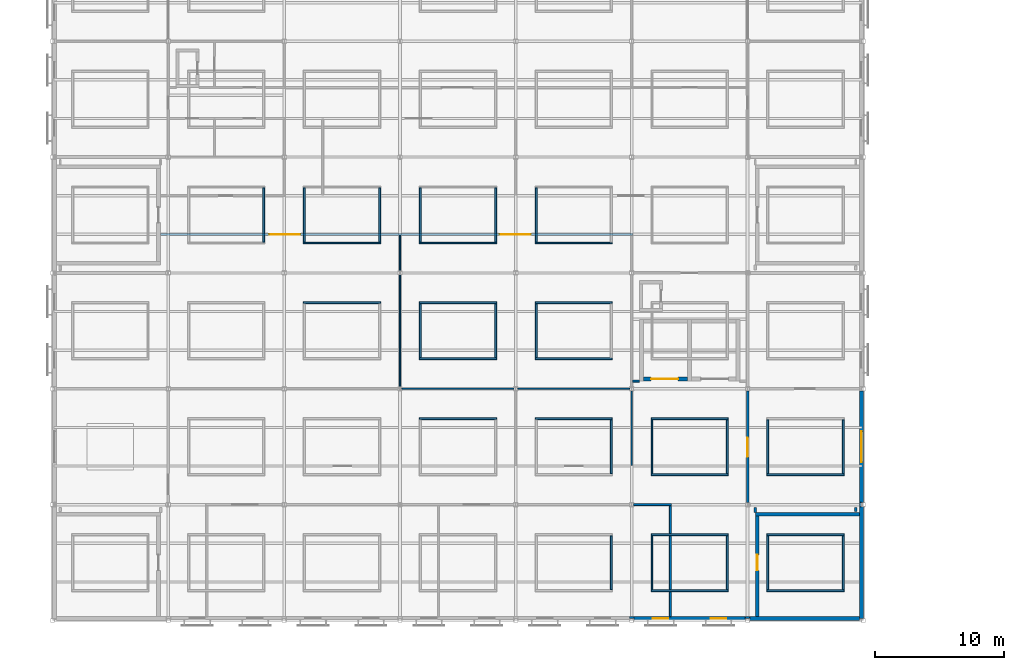
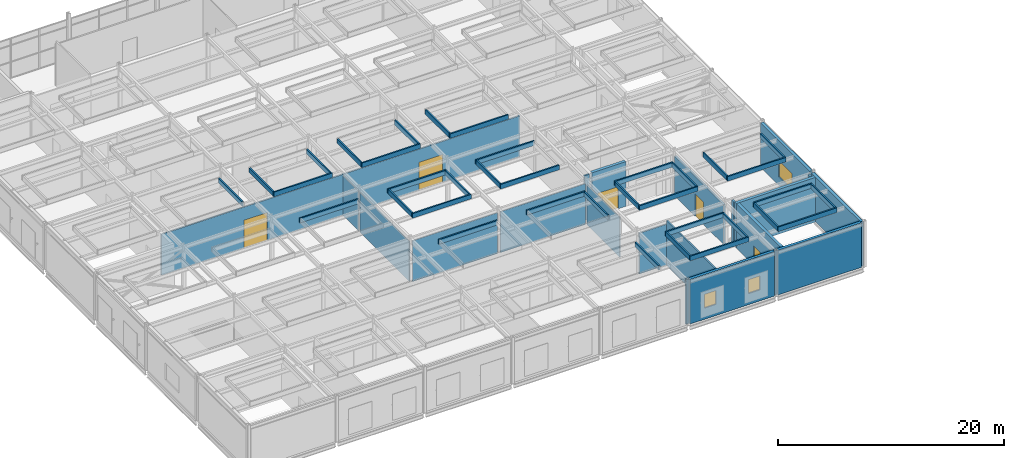
# One storey, part 79 of 115: 58 walls, 5 doors, 3 windows, 8 openings.
"""IFC4 building model written with IfcOpenShell, lengths in metres."""

from ifc_helpers import new_model, si_unit, direction, frame, frame_2d, origin, place, context, subcontext, project, spatial, rectangle, extrude, material, layer, layer_set, type_object, element, fill, save


model = new_model("IFC4")

# Units and contexts
model_context = context("Model", 3, precision=1e-05, world=origin(), true_north=direction((0.0, 1.0)))
body_context = subcontext(model_context, "Body", "Model", "MODEL_VIEW")
ifc_project = project(units=[si_unit("LENGTHUNIT", "METRE"), si_unit("AREAUNIT", "SQUARE_METRE"), si_unit("VOLUMEUNIT", "CUBIC_METRE"), si_unit("PLANEANGLEUNIT", "RADIAN"), si_unit("MASSUNIT", "GRAM", prefix="KILO")], contexts=[model_context])

# Site, building, storey
site_placement = place(None, origin())
site = spatial("IfcSite", under=ifc_project, at=site_placement, CompositionType="ELEMENT")
building_placement = place(site_placement, origin())
building = spatial("IfcBuilding", under=site, at=building_placement, Name="Shorebreak Coast Museum", CompositionType="ELEMENT")
storey_placement = place(building_placement, frame((0.0, 0.0, 11.0)))
storey = spatial("IfcBuildingStorey", under=building, at=storey_placement, Name="L02", CompositionType="ELEMENT", Elevation=11.0)

# Walls
ifc_material_1 = material(Name="Concrete N50 (50 MPa)", Category="concrete")
ifc_layer_1 = layer(ifc_material_1, 0.14990234375)
ifc_layer_set_1 = layer_set([ifc_layer_1], Name="Concrete N50 (50 MPa)")
wall_type_1 = type_object("IfcWallType", Name="Column closure panel 150", PredefinedType="SOLIDWALL", material=ifc_layer_set_1)
wall_1_placement = place(storey_placement, frame((98.839111328125, 0.22509765625, 0.0), z_axis=(0.0, 0.0, 1.0), x_axis=(1.0, 0.0, 0.0)))
element("IfcWall", 1, at=wall_1_placement, inside=storey, type_object=wall_type_1, Name="Column closure panel L02 S 12A", PredefinedType="SOLIDWALL", context=body_context, shape_type="SweptSolid", body=[
    extrude(rectangle(XDim=0.32177734375, YDim=0.14990234375, at=frame_2d((0.160888671875, 0.0))), origin(), (0.0, 0.0, 1.0), 4.824951171875),
])
for number, where, z_axis, x_axis, name in (
    (2, (107.827880859375, 0.22509765625, 0.0), (0.0, 0.0, 1.0), (1.0, 0.0, 0.0), "Column closure panel L02 S 13A"),
    (3, (116.77490234375, 8.85009765625, 0.0), (0.0, 0.0, 1.0), (0.0, 1.0, 0.0), "Column closure panel L02 E 14B"),
):
    element("IfcWall", number, at=place(storey_placement, frame(where, z_axis=z_axis, x_axis=x_axis)), inside=storey, type_object=wall_type_1, Name=name, PredefinedType="SOLIDWALL", context=body_context, shape_type="SweptSolid", body=[
        extrude(rectangle(XDim=0.322021484375, YDim=0.14990234375, at=frame_2d((0.1611328125, 0.0))), origin(), (0.0, 0.0, 1.0), 4.824951171875),
    ])
ifc_material_2 = material(Name="Plasterboard on steel stud", Category="steel")
ifc_layer_2 = layer(ifc_material_2, 0.14990234375)
ifc_layer_set_2 = layer_set([ifc_layer_2], Name="Plasterboard on steel stud")
wall_type_2 = type_object("IfcWallType", Name="Fire partition 150", PredefinedType="PARTITIONING", material=ifc_layer_set_2)
wall_2_placement = place(storey_placement, frame((99.153564453125, 9.0, 0.0), z_axis=(0.0, 0.0, 1.0), x_axis=(1.0, 0.0, 0.0)))
element("IfcWall", 4, at=wall_2_placement, inside=storey, type_object=wall_type_2, Name="Partition L02-005", PredefinedType="PARTITIONING", context=body_context, shape_type="SweptSolid", body=[
    extrude(rectangle(XDim=2.92138671875, YDim=0.14990234375, at=frame_2d((1.460693359375, 0.0))), origin(), (0.0, 0.0, 1.0), 4.418701171875),
])
wall_3_placement = place(storey_placement, frame((99.074951171875, 18.60009765625, 0.0), z_axis=(0.0, 0.0, 1.0), x_axis=(1.0, 0.0, 0.0)))
element("IfcWall", 5, at=wall_3_placement, inside=storey, type_object=wall_type_2, Name="Partition L02-013", PredefinedType="PARTITIONING", context=body_context, shape_type="SweptSolid", body=[
    extrude(rectangle(XDim=0.525146484375, YDim=0.14990234375, at=frame_2d((0.2626953125, 0.0))), origin(), (0.0, 0.0, 1.0), 4.824951171875),
])

# Wall, openings, doors
wall_4_placement = place(storey_placement, frame((62.39990234375, 30.0, 0.0), z_axis=(0.0, 0.0, 1.0), x_axis=(1.0, 0.0, 0.0)))
wall_4 = element("IfcWall", 6, at=wall_4_placement, inside=storey, type_object=wall_type_2, Name="Partition L02-016", PredefinedType="PARTITIONING", context=body_context, shape_type="SweptSolid", body=[
    extrude(rectangle(XDim=36.675048828125, YDim=0.14990234375, at=frame_2d((18.33740234375, 0.0))), origin(), (0.0, 0.0, 1.0), 4.42236328125),
])
opening_1_placement = place(wall_4_placement, frame((8.449951171875, 0.0, 0.0)))
opening_1 = element("IfcOpeningElement", 7, at=opening_1_placement, cuts=wall_4, Name="Opening D2032", PredefinedType="OPENING", context=body_context, shape_type="SweptSolid", body=[
    extrude(rectangle(XDim=2.39990234375, YDim=3.0, at=frame_2d((1.199951171875, 1.5))), frame((0.0, 0.0849609375, 0.0), z_axis=(0.0, -1.0, 0.0), x_axis=(1.0, 0.0, 0.0)), (0.0, 0.0, 1.0), 0.169921875),
])
opening_2_placement = place(wall_4_placement, frame((26.35009765625, 0.0, 0.0)))
opening_2 = element("IfcOpeningElement", 8, at=opening_2_placement, cuts=wall_4, Name="Opening D2033", PredefinedType="OPENING", context=body_context, shape_type="SweptSolid", body=[
    extrude(rectangle(XDim=2.39990234375, YDim=3.0, at=frame_2d((1.199951171875, 1.5))), frame((0.0, 0.0849609375, 0.0), z_axis=(0.0, -1.0, 0.0), x_axis=(1.0, 0.0, 0.0)), (0.0, 0.0, 1.0), 0.169921875),
])
ifc_material_3 = material(Name="Steel", Category="steel")
door_type_1 = type_object("IfcDoorType", Name="Fire door 2400x3000 60", OperationType="DOUBLE_DOOR_SINGLE_SWING", PredefinedType="DOOR", material=ifc_material_3)
door_1_placement = place(opening_1_placement, origin())
door_1 = element("IfcDoor", 9, at=door_1_placement, inside=storey, type_object=door_type_1, Name="Door D2032 Archive 2.03", OperationType="DOUBLE_DOOR_SINGLE_SWING", OverallHeight=3.0, OverallWidth=2.39990234375, PredefinedType="DOOR", context=body_context, shape_type="SweptSolid", body=[
    extrude(rectangle(XDim=2.39990234375, YDim=3.0, at=frame_2d((1.199951171875, 1.5))), frame((0.0, 0.02490234375, 0.0), z_axis=(0.0, -1.0, 0.0), x_axis=(1.0, 0.0, 0.0)), (0.0, 0.0, 1.0), 0.050048828125),
])
fill(opening_1, door_1)
door_2_placement = place(opening_2_placement, origin())
door_2 = element("IfcDoor", 10, at=door_2_placement, inside=storey, type_object=door_type_1, Name="Door D2033 Archive 2.04", OperationType="DOUBLE_DOOR_SINGLE_SWING", OverallHeight=3.0, OverallWidth=2.39990234375, PredefinedType="DOOR", context=body_context, shape_type="SweptSolid", body=[
    extrude(rectangle(XDim=2.39990234375, YDim=3.0, at=frame_2d((1.199951171875, 1.5))), frame((0.0, 0.02490234375, 0.0), z_axis=(0.0, -1.0, 0.0), x_axis=(1.0, 0.0, 0.0)), (0.0, 0.0, 1.0), 0.050048828125),
])
fill(opening_2, door_2)

# Wall
wall_5_placement = place(storey_placement, frame((102.0, 0.300048828125, 0.0), z_axis=(0.0, 0.0, 1.0), x_axis=(0.0, 1.0, 0.0)))
element("IfcWall", 11, at=wall_5_placement, inside=storey, type_object=wall_type_2, Name="Partition L02-152", PredefinedType="PARTITIONING", context=body_context, shape_type="SweptSolid", body=[
    extrude(rectangle(XDim=8.625, YDim=0.14990234375, at=frame_2d((4.3125, 0.0))), origin(), (0.0, 0.0, 1.0), 4.824951171875),
])

# Wall, opening, door
ifc_material_4 = material(Name="Concrete masonry", Category="masonry")
ifc_layer_3 = layer(ifc_material_4, 0.199951171875)
ifc_layer_set_3 = layer_set([ifc_layer_3], Name="Concrete masonry")
wall_type_3 = type_object("IfcWallType", Name="Fire wall 200", PredefinedType="PARTITIONING", material=ifc_layer_set_3)
wall_6_placement = place(storey_placement, frame((108.0, 9.1572265625, 0.0), z_axis=(0.0, 0.0, 1.0), x_axis=(0.0, 1.0, 0.0)))
wall_6 = element("IfcWall", 12, at=wall_6_placement, inside=storey, type_object=wall_type_3, Name="Partition L02-156", PredefinedType="PARTITIONING", context=body_context, shape_type="SweptSolid", body=[
    extrude(rectangle(XDim=8.685546875, YDim=0.199951171875, at=frame_2d((4.3427734375, 0.0))), origin(), (0.0, 0.0, 1.0), 4.296875),
])
opening_3_placement = place(wall_6_placement, frame((3.550048828125, 0.0, 0.0)))
opening_3 = element("IfcOpeningElement", 13, at=opening_3_placement, cuts=wall_6, Name="Opening D2027", PredefinedType="OPENING", context=body_context, shape_type="SweptSolid", body=[
    extrude(rectangle(XDim=1.5, YDim=2.39990234375, at=frame_2d((0.75, 1.199951171875))), frame((0.0, 0.10986328125, 0.0), z_axis=(0.0, -1.0, 0.0), x_axis=(1.0, 0.0, 0.0)), (0.0, 0.0, 1.0), 0.219970703125),
])
ifc_material_5 = material(Name="Steel", Category="steel")
door_type_2 = type_object("IfcDoorType", Name="Fire door 1500x2400 120", OperationType="DOUBLE_DOOR_SINGLE_SWING", PredefinedType="DOOR", material=ifc_material_5)
door_3_placement = place(opening_3_placement, origin())
door_3 = element("IfcDoor", 14, at=door_3_placement, inside=storey, type_object=door_type_2, Name="Door D2027 Plant Room 2.02", OperationType="DOUBLE_DOOR_SINGLE_SWING", OverallHeight=2.39990234375, OverallWidth=1.5, PredefinedType="DOOR", context=body_context, shape_type="SweptSolid", body=[
    extrude(rectangle(XDim=1.5, YDim=2.39990234375, at=frame_2d((0.75, 1.199951171875))), frame((0.0, 0.02490234375, 0.0), z_axis=(0.0, -1.0, 0.0), x_axis=(1.0, 0.0, 0.0)), (0.0, 0.0, 1.0), 0.050048828125),
])
fill(opening_3, door_3)

# Walls
wall_7_placement = place(storey_placement, frame((108.60009765625, 8.39990234375, 0.0), z_axis=(0.0, 0.0, 1.0), x_axis=(0.0, 1.0, 0.0)))
element("IfcWall", 15, at=wall_7_placement, inside=storey, type_object=wall_type_3, Name="Partition L02-162", PredefinedType="PARTITIONING", context=body_context, shape_type="SweptSolid", body=[
    extrude(rectangle(XDim=0.380126953125, YDim=0.199951171875, at=frame_2d((0.18994140625, 0.0))), origin(), (0.0, 0.0, 1.0), 4.824951171875),
])
wall_8_placement = place(storey_placement, frame((116.39990234375, 8.449951171875, 0.0), z_axis=(0.0, 0.0, 1.0), x_axis=(0.0, 1.0, 0.0)))
element("IfcWall", 16, at=wall_8_placement, inside=storey, type_object=wall_type_3, Name="Partition L02-171", PredefinedType="PARTITIONING", context=body_context, shape_type="SweptSolid", body=[
    extrude(rectangle(XDim=0.330078125, YDim=0.199951171875, at=frame_2d((0.1650390625, 0.0))), origin(), (0.0, 0.0, 1.0), 4.824951171875),
])
ifc_material_6 = material(Name="Plasterboard on steel stud", Category="steel")
ifc_layer_4 = layer(ifc_material_6, 0.10009765625)
ifc_layer_set_4 = layer_set([ifc_layer_4], Name="Plasterboard on steel stud")
wall_type_4 = type_object("IfcWallType", Name="Partition 100", PredefinedType="PARTITIONING", material=ifc_layer_set_4)
for number, where, z_axis, x_axis, name in (
    (17, (81.153564453125, 18.0, 0.0), (0.0, 0.0, 1.0), (1.0, 0.0, 0.0), "Partition L02-010"),
    (18, (90.153564453125, 18.0, 0.0), (0.0, 0.0, 1.0), (1.0, 0.0, 0.0), "Partition L02-011"),
):
    element("IfcWall", number, at=place(storey_placement, frame(where, z_axis=z_axis, x_axis=x_axis)), inside=storey, type_object=wall_type_4, Name=name, PredefinedType="PARTITIONING", context=body_context, shape_type="SweptSolid", body=[
        extrude(rectangle(XDim=8.69287109375, YDim=0.10009765625, at=frame_2d((4.346435546875, 0.0))), origin(), (0.0, 0.0, 1.0), 4.418701171875),
    ])
wall_9_placement = place(storey_placement, frame((81.0, 18.1572265625, 0.0), z_axis=(0.0, 0.0, 1.0), x_axis=(0.0, 1.0, 0.0)))
element("IfcWall", 19, at=wall_9_placement, inside=storey, type_object=wall_type_4, Name="Partition L02-133", PredefinedType="PARTITIONING", context=body_context, shape_type="SweptSolid", body=[
    extrude(rectangle(XDim=8.685546875, YDim=0.10009765625, at=frame_2d((4.3427734375, 0.0))), origin(), (0.0, 0.0, 1.0), 4.296875),
])
wall_10_placement = place(storey_placement, frame((81.0, 27.1572265625, 0.0), z_axis=(0.0, 0.0, 1.0), x_axis=(0.0, 1.0, 0.0)))
element("IfcWall", 20, at=wall_10_placement, inside=storey, type_object=wall_type_4, Name="Partition L02-134", PredefinedType="PARTITIONING", context=body_context, shape_type="SweptSolid", body=[
    extrude(rectangle(XDim=2.767822265625, YDim=0.10009765625, at=frame_2d((1.3837890625, 0.0))), origin(), (0.0, 0.0, 1.0), 4.296875),
])
wall_11_placement = place(storey_placement, frame((99.0, 12.050048828125, 0.0), z_axis=(0.0, 0.0, 1.0), x_axis=(0.0, 1.0, 0.0)))
element("IfcWall", 21, at=wall_11_placement, inside=storey, type_object=wall_type_4, Name="Partition L02-145", PredefinedType="PARTITIONING", context=body_context, shape_type="SweptSolid", body=[
    extrude(rectangle(XDim=5.792724609375, YDim=0.10009765625, at=frame_2d((2.896484375, 0.0))), origin(), (0.0, 0.0, 1.0), 4.296875),
])

# Wall, opening, window
ifc_material_7 = material(Name="Concrete N50 (50 MPa)", Category="concrete")
ifc_layer_5 = layer(ifc_material_7, 0.300048828125)
ifc_layer_set_5 = layer_set([ifc_layer_5], Name="Concrete N50 (50 MPa)")
wall_type_5 = type_object("IfcWallType", Name="Plant wall 300 rated", PredefinedType="SOLIDWALL", material=ifc_layer_set_5)
wall_12_placement = place(storey_placement, frame((116.85009765625, 9.172119140625, 0.0), z_axis=(0.0, 0.0, 1.0), x_axis=(0.0, 1.0, 0.0)))
wall_12 = element("IfcWall", 22, at=wall_12_placement, inside=storey, type_object=wall_type_5, Name="External wall L02 E 14B", PredefinedType="SOLIDWALL", context=body_context, shape_type="SweptSolid", body=[
    extrude(rectangle(XDim=8.6669921875, YDim=0.300048828125, at=frame_2d((4.33349609375, 0.0))), origin(), (0.0, 0.0, 1.0), 4.824951171875),
])
opening_4_placement = place(wall_12_placement, frame((3.1279296875, 0.0, 0.89990234375)))
opening_4 = element("IfcOpeningElement", 23, at=opening_4_placement, cuts=wall_12, Name="Opening WN2001", PredefinedType="OPENING", context=body_context, shape_type="SweptSolid", body=[
    extrude(rectangle(XDim=2.39990234375, YDim=1.800048828125, at=frame_2d((1.199951171875, 0.89990234375))), frame((0.0, 0.159912109375, 0.0), z_axis=(0.0, -1.0, 0.0), x_axis=(1.0, 0.0, 0.0)), (0.0, 0.0, 1.0), 0.320068359375),
])
ifc_material_8 = material(Name="Aluminium", Category="aluminium")
window_type_1 = type_object("IfcWindowType", Name="Plant louvre 2400 x 1800", PartitioningType="TRIPLE_PANEL_VERTICAL", PredefinedType="WINDOW", material=ifc_material_8)
window_1_placement = place(opening_4_placement, origin())
window_1 = element("IfcWindow", 24, at=window_1_placement, inside=storey, type_object=window_type_1, Name="Louvre WN2001", OverallHeight=1.800048828125, OverallWidth=2.39990234375, PartitioningType="TRIPLE_PANEL_VERTICAL", PredefinedType="WINDOW", context=body_context, shape_type="SweptSolid", body=[
    extrude(rectangle(XDim=2.39990234375, YDim=1.800048828125, at=frame_2d((1.199951171875, 0.89990234375))), frame((0.0, 0.030029296875, 0.0), z_axis=(0.0, -1.0, 0.0), x_axis=(1.0, 0.0, 0.0)), (0.0, 0.0, 1.0), 0.06005859375),
])
fill(opening_4, window_1)

# Walls
ifc_material_9 = material(Name="Concrete N50 (50 MPa)", Category="concrete")
ifc_layer_6 = layer(ifc_material_9, 0.14990234375)
ifc_layer_set_6 = layer_set([ifc_layer_6], Name="Concrete N50 (50 MPa)")
wall_type_6 = type_object("IfcWallType", Name="Planter wall 150 high 500", PredefinedType="PARAPET", material=ifc_layer_set_6)
wall_13_placement = place(storey_placement, frame((97.425048828125, 2.39990234375, 5.0), z_axis=(0.0, 0.0, 1.0), x_axis=(0.0, 1.0, 0.0)))
element("IfcWall", 25, at=wall_13_placement, inside=storey, type_object=wall_type_6, Name="Planter SDECK 21 east wall", PredefinedType="PARAPET", context=body_context, shape_type="SweptSolid", body=[
    extrude(rectangle(XDim=4.2001953125, YDim=0.14990234375, at=frame_2d((2.10009765625, 0.0))), origin(), (0.0, 0.0, 1.0), 0.5),
])
for number, where, z_axis, x_axis, name in (
    (26, (100.5, 2.324951171875, 5.0), (0.0, 0.0, 1.0), (1.0, 0.0, 0.0), "Planter SDECK 22 south wall"),
    (27, (100.5, 6.675048828125, 5.0), (0.0, 0.0, 1.0), (1.0, 0.0, 0.0), "Planter SDECK 22 north wall"),
):
    element("IfcWall", number, at=place(storey_placement, frame(where, z_axis=z_axis, x_axis=x_axis)), inside=storey, type_object=wall_type_6, Name=name, PredefinedType="PARAPET", context=body_context, shape_type="SweptSolid", body=[
        extrude(rectangle(XDim=6.0, YDim=0.14990234375, at=frame_2d((3.0, 0.0))), origin(), (0.0, 0.0, 1.0), 0.5),
    ])
for number, where, z_axis, x_axis, name in (
    (28, (100.574951171875, 2.39990234375, 5.0), (0.0, 0.0, 1.0), (0.0, 1.0, 0.0), "Planter SDECK 22 west wall"),
    (29, (106.425048828125, 2.39990234375, 5.0), (0.0, 0.0, 1.0), (0.0, 1.0, 0.0), "Planter SDECK 22 east wall"),
):
    element("IfcWall", number, at=place(storey_placement, frame(where, z_axis=z_axis, x_axis=x_axis)), inside=storey, type_object=wall_type_6, Name=name, PredefinedType="PARAPET", context=body_context, shape_type="SweptSolid", body=[
        extrude(rectangle(XDim=4.2001953125, YDim=0.14990234375, at=frame_2d((2.10009765625, 0.0))), origin(), (0.0, 0.0, 1.0), 0.5),
    ])
for number, where, z_axis, x_axis, name in (
    (30, (109.5, 2.324951171875, 5.0), (0.0, 0.0, 1.0), (1.0, 0.0, 0.0), "Planter SDECK 23 south wall"),
    (31, (109.5, 6.675048828125, 5.0), (0.0, 0.0, 1.0), (1.0, 0.0, 0.0), "Planter SDECK 23 north wall"),
):
    element("IfcWall", number, at=place(storey_placement, frame(where, z_axis=z_axis, x_axis=x_axis)), inside=storey, type_object=wall_type_6, Name=name, PredefinedType="PARAPET", context=body_context, shape_type="SweptSolid", body=[
        extrude(rectangle(XDim=6.0, YDim=0.14990234375, at=frame_2d((3.0, 0.0))), origin(), (0.0, 0.0, 1.0), 0.5),
    ])
for number, where, z_axis, x_axis, name in (
    (32, (109.574951171875, 2.39990234375, 5.0), (0.0, 0.0, 1.0), (0.0, 1.0, 0.0), "Planter SDECK 23 west wall"),
    (33, (115.425048828125, 2.39990234375, 5.0), (0.0, 0.0, 1.0), (0.0, 1.0, 0.0), "Planter SDECK 23 east wall"),
):
    element("IfcWall", number, at=place(storey_placement, frame(where, z_axis=z_axis, x_axis=x_axis)), inside=storey, type_object=wall_type_6, Name=name, PredefinedType="PARAPET", context=body_context, shape_type="SweptSolid", body=[
        extrude(rectangle(XDim=4.2001953125, YDim=0.14990234375, at=frame_2d((2.10009765625, 0.0))), origin(), (0.0, 0.0, 1.0), 0.5),
    ])
for number, where, z_axis, x_axis, name in (
    (34, (82.5, 15.675048828125, 5.0), (0.0, 0.0, 1.0), (1.0, 0.0, 0.0), "Planter SDECK 26 north wall"),
    (35, (91.5, 15.675048828125, 5.0), (0.0, 0.0, 1.0), (1.0, 0.0, 0.0), "Planter SDECK 27 north wall"),
):
    element("IfcWall", number, at=place(storey_placement, frame(where, z_axis=z_axis, x_axis=x_axis)), inside=storey, type_object=wall_type_6, Name=name, PredefinedType="PARAPET", context=body_context, shape_type="SweptSolid", body=[
        extrude(rectangle(XDim=6.0, YDim=0.14990234375, at=frame_2d((3.0, 0.0))), origin(), (0.0, 0.0, 1.0), 0.5),
    ])
wall_14_placement = place(storey_placement, frame((97.425048828125, 11.39990234375, 5.0), z_axis=(0.0, 0.0, 1.0), x_axis=(0.0, 1.0, 0.0)))
element("IfcWall", 36, at=wall_14_placement, inside=storey, type_object=wall_type_6, Name="Planter SDECK 27 east wall", PredefinedType="PARAPET", context=body_context, shape_type="SweptSolid", body=[
    extrude(rectangle(XDim=4.2001953125, YDim=0.14990234375, at=frame_2d((2.10009765625, 0.0))), origin(), (0.0, 0.0, 1.0), 0.5),
])
for number, where, z_axis, x_axis, name in (
    (37, (100.5, 11.324951171875, 5.0), (0.0, 0.0, 1.0), (1.0, 0.0, 0.0), "Planter SDECK 28 south wall"),
    (38, (100.5, 15.675048828125, 5.0), (0.0, 0.0, 1.0), (1.0, 0.0, 0.0), "Planter SDECK 28 north wall"),
):
    element("IfcWall", number, at=place(storey_placement, frame(where, z_axis=z_axis, x_axis=x_axis)), inside=storey, type_object=wall_type_6, Name=name, PredefinedType="PARAPET", context=body_context, shape_type="SweptSolid", body=[
        extrude(rectangle(XDim=6.0, YDim=0.14990234375, at=frame_2d((3.0, 0.0))), origin(), (0.0, 0.0, 1.0), 0.5),
    ])
for number, where, z_axis, x_axis, name in (
    (39, (100.574951171875, 11.39990234375, 5.0), (0.0, 0.0, 1.0), (0.0, 1.0, 0.0), "Planter SDECK 28 west wall"),
    (40, (106.425048828125, 11.39990234375, 5.0), (0.0, 0.0, 1.0), (0.0, 1.0, 0.0), "Planter SDECK 28 east wall"),
):
    element("IfcWall", number, at=place(storey_placement, frame(where, z_axis=z_axis, x_axis=x_axis)), inside=storey, type_object=wall_type_6, Name=name, PredefinedType="PARAPET", context=body_context, shape_type="SweptSolid", body=[
        extrude(rectangle(XDim=4.2001953125, YDim=0.14990234375, at=frame_2d((2.10009765625, 0.0))), origin(), (0.0, 0.0, 1.0), 0.5),
    ])
wall_15_placement = place(storey_placement, frame((109.5, 11.324951171875, 5.0), z_axis=(0.0, 0.0, 1.0), x_axis=(1.0, 0.0, 0.0)))
element("IfcWall", 41, at=wall_15_placement, inside=storey, type_object=wall_type_6, Name="Planter SDECK 29 south wall", PredefinedType="PARAPET", context=body_context, shape_type="SweptSolid", body=[
    extrude(rectangle(XDim=6.0, YDim=0.14990234375, at=frame_2d((3.0, 0.0))), origin(), (0.0, 0.0, 1.0), 0.5),
])
for number, where, z_axis, x_axis, name in (
    (42, (109.574951171875, 11.39990234375, 5.0), (0.0, 0.0, 1.0), (0.0, 1.0, 0.0), "Planter SDECK 29 west wall"),
    (43, (115.425048828125, 11.39990234375, 5.0), (0.0, 0.0, 1.0), (0.0, 1.0, 0.0), "Planter SDECK 29 east wall"),
):
    element("IfcWall", number, at=place(storey_placement, frame(where, z_axis=z_axis, x_axis=x_axis)), inside=storey, type_object=wall_type_6, Name=name, PredefinedType="PARAPET", context=body_context, shape_type="SweptSolid", body=[
        extrude(rectangle(XDim=4.2001953125, YDim=0.14990234375, at=frame_2d((2.10009765625, 0.0))), origin(), (0.0, 0.0, 1.0), 0.5),
    ])
for number, where, z_axis, x_axis, name in (
    (44, (73.5, 24.675048828125, 5.0), (0.0, 0.0, 1.0), (1.0, 0.0, 0.0), "Planter SDECK 32 north wall"),
    (45, (82.5, 20.324951171875, 5.0), (0.0, 0.0, 1.0), (1.0, 0.0, 0.0), "Planter SDECK 33 south wall"),
    (46, (82.5, 24.675048828125, 5.0), (0.0, 0.0, 1.0), (1.0, 0.0, 0.0), "Planter SDECK 33 north wall"),
):
    element("IfcWall", number, at=place(storey_placement, frame(where, z_axis=z_axis, x_axis=x_axis)), inside=storey, type_object=wall_type_6, Name=name, PredefinedType="PARAPET", context=body_context, shape_type="SweptSolid", body=[
        extrude(rectangle(XDim=6.0, YDim=0.14990234375, at=frame_2d((3.0, 0.0))), origin(), (0.0, 0.0, 1.0), 0.5),
    ])
for number, where, z_axis, x_axis, name in (
    (47, (82.574951171875, 20.39990234375, 5.0), (0.0, 0.0, 1.0), (0.0, 1.0, 0.0), "Planter SDECK 33 west wall"),
    (48, (88.425048828125, 20.39990234375, 5.0), (0.0, 0.0, 1.0), (0.0, 1.0, 0.0), "Planter SDECK 33 east wall"),
):
    element("IfcWall", number, at=place(storey_placement, frame(where, z_axis=z_axis, x_axis=x_axis)), inside=storey, type_object=wall_type_6, Name=name, PredefinedType="PARAPET", context=body_context, shape_type="SweptSolid", body=[
        extrude(rectangle(XDim=4.2001953125, YDim=0.14990234375, at=frame_2d((2.10009765625, 0.0))), origin(), (0.0, 0.0, 1.0), 0.5),
    ])
for number, where, z_axis, x_axis, name in (
    (49, (91.5, 20.324951171875, 5.0), (0.0, 0.0, 1.0), (1.0, 0.0, 0.0), "Planter SDECK 34 south wall"),
    (50, (91.5, 24.675048828125, 5.0), (0.0, 0.0, 1.0), (1.0, 0.0, 0.0), "Planter SDECK 34 north wall"),
):
    element("IfcWall", number, at=place(storey_placement, frame(where, z_axis=z_axis, x_axis=x_axis)), inside=storey, type_object=wall_type_6, Name=name, PredefinedType="PARAPET", context=body_context, shape_type="SweptSolid", body=[
        extrude(rectangle(XDim=6.0, YDim=0.14990234375, at=frame_2d((3.0, 0.0))), origin(), (0.0, 0.0, 1.0), 0.5),
    ])
for number, where, z_axis, x_axis, name in (
    (51, (91.574951171875, 20.39990234375, 5.0), (0.0, 0.0, 1.0), (0.0, 1.0, 0.0), "Planter SDECK 34 west wall"),
    (52, (70.425048828125, 29.39990234375, 5.0), (0.0, 0.0, 1.0), (0.0, 1.0, 0.0), "Planter SDECK 38 east wall"),
):
    element("IfcWall", number, at=place(storey_placement, frame(where, z_axis=z_axis, x_axis=x_axis)), inside=storey, type_object=wall_type_6, Name=name, PredefinedType="PARAPET", context=body_context, shape_type="SweptSolid", body=[
        extrude(rectangle(XDim=4.2001953125, YDim=0.14990234375, at=frame_2d((2.10009765625, 0.0))), origin(), (0.0, 0.0, 1.0), 0.5),
    ])
wall_16_placement = place(storey_placement, frame((73.5, 29.324951171875, 5.0), z_axis=(0.0, 0.0, 1.0), x_axis=(1.0, 0.0, 0.0)))
element("IfcWall", 53, at=wall_16_placement, inside=storey, type_object=wall_type_6, Name="Planter SDECK 39 south wall", PredefinedType="PARAPET", context=body_context, shape_type="SweptSolid", body=[
    extrude(rectangle(XDim=6.0, YDim=0.14990234375, at=frame_2d((3.0, 0.0))), origin(), (0.0, 0.0, 1.0), 0.5),
])
for number, where, z_axis, x_axis, name in (
    (54, (73.574951171875, 29.39990234375, 5.0), (0.0, 0.0, 1.0), (0.0, 1.0, 0.0), "Planter SDECK 39 west wall"),
    (55, (79.425048828125, 29.39990234375, 5.0), (0.0, 0.0, 1.0), (0.0, 1.0, 0.0), "Planter SDECK 39 east wall"),
):
    element("IfcWall", number, at=place(storey_placement, frame(where, z_axis=z_axis, x_axis=x_axis)), inside=storey, type_object=wall_type_6, Name=name, PredefinedType="PARAPET", context=body_context, shape_type="SweptSolid", body=[
        extrude(rectangle(XDim=4.2001953125, YDim=0.14990234375, at=frame_2d((2.10009765625, 0.0))), origin(), (0.0, 0.0, 1.0), 0.5),
    ])
wall_17_placement = place(storey_placement, frame((82.5, 29.324951171875, 5.0), z_axis=(0.0, 0.0, 1.0), x_axis=(1.0, 0.0, 0.0)))
element("IfcWall", 56, at=wall_17_placement, inside=storey, type_object=wall_type_6, Name="Planter SDECK 40 south wall", PredefinedType="PARAPET", context=body_context, shape_type="SweptSolid", body=[
    extrude(rectangle(XDim=6.0, YDim=0.14990234375, at=frame_2d((3.0, 0.0))), origin(), (0.0, 0.0, 1.0), 0.5),
])
for number, where, z_axis, x_axis, name in (
    (57, (82.574951171875, 29.39990234375, 5.0), (0.0, 0.0, 1.0), (0.0, 1.0, 0.0), "Planter SDECK 40 west wall"),
    (58, (88.425048828125, 29.39990234375, 5.0), (0.0, 0.0, 1.0), (0.0, 1.0, 0.0), "Planter SDECK 40 east wall"),
):
    element("IfcWall", number, at=place(storey_placement, frame(where, z_axis=z_axis, x_axis=x_axis)), inside=storey, type_object=wall_type_6, Name=name, PredefinedType="PARAPET", context=body_context, shape_type="SweptSolid", body=[
        extrude(rectangle(XDim=4.2001953125, YDim=0.14990234375, at=frame_2d((2.10009765625, 0.0))), origin(), (0.0, 0.0, 1.0), 0.5),
    ])
wall_18_placement = place(storey_placement, frame((91.5, 29.324951171875, 5.0), z_axis=(0.0, 0.0, 1.0), x_axis=(1.0, 0.0, 0.0)))
element("IfcWall", 59, at=wall_18_placement, inside=storey, type_object=wall_type_6, Name="Planter SDECK 41 south wall", PredefinedType="PARAPET", context=body_context, shape_type="SweptSolid", body=[
    extrude(rectangle(XDim=6.0, YDim=0.14990234375, at=frame_2d((3.0, 0.0))), origin(), (0.0, 0.0, 1.0), 0.5),
])
wall_19_placement = place(storey_placement, frame((91.574951171875, 29.39990234375, 5.0), z_axis=(0.0, 0.0, 1.0), x_axis=(0.0, 1.0, 0.0)))
element("IfcWall", 60, at=wall_19_placement, inside=storey, type_object=wall_type_6, Name="Planter SDECK 41 west wall", PredefinedType="PARAPET", context=body_context, shape_type="SweptSolid", body=[
    extrude(rectangle(XDim=4.2001953125, YDim=0.14990234375, at=frame_2d((2.10009765625, 0.0))), origin(), (0.0, 0.0, 1.0), 0.5),
])
ifc_material_10 = material(Name="Concrete N50 (50 MPa)", Category="concrete")
ifc_layer_7 = layer(ifc_material_10, 0.300048828125)
ifc_layer_set_7 = layer_set([ifc_layer_7], Name="Concrete N50 (50 MPa)")
wall_type_7 = type_object("IfcWallType", Name="RC wall 300", PredefinedType="SHEAR", material=ifc_layer_set_7)
wall_20_placement = place(storey_placement, frame((108.14990234375, 0.14990234375, 0.0), z_axis=(0.0, 0.0, 1.0), x_axis=(1.0, 0.0, 0.0)))
element("IfcWall", 61, at=wall_20_placement, inside=storey, type_object=wall_type_7, Name="Stair core wall ST12 L02 S", PredefinedType="SHEAR", context=body_context, shape_type="SweptSolid", body=[
    extrude(rectangle(XDim=8.550048828125, YDim=0.300048828125, at=frame_2d((4.27490234375, 0.0))), origin(), (0.0, 0.0, 1.0), 4.824951171875),
])
wall_21_placement = place(storey_placement, frame((108.60009765625, 8.25, 0.0), z_axis=(0.0, 0.0, 1.0), x_axis=(1.0, 0.0, 0.0)))
element("IfcWall", 62, at=wall_21_placement, inside=storey, type_object=wall_type_7, Name="Stair core wall ST12 L02 N", PredefinedType="SHEAR", context=body_context, shape_type="SweptSolid", body=[
    extrude(rectangle(XDim=8.099853515625, YDim=0.300048828125, at=frame_2d((4.0498046875, 0.0))), origin(), (0.0, 0.0, 1.0), 4.824951171875),
])

# Wall, opening, door
wall_22_placement = place(storey_placement, frame((108.75, 0.300048828125, 0.0), z_axis=(0.0, 0.0, 1.0), x_axis=(0.0, 1.0, 0.0)))
wall_22 = element("IfcWall", 63, at=wall_22_placement, inside=storey, type_object=wall_type_7, Name="Stair core wall ST12 L02 W", PredefinedType="SHEAR", context=body_context, shape_type="SweptSolid", body=[
    extrude(rectangle(XDim=7.800048828125, YDim=0.300048828125, at=frame_2d((3.89990234375, 0.0))), origin(), (0.0, 0.0, 1.0), 4.824951171875),
])
opening_5_placement = place(wall_22_placement, frame((3.60009765625, 0.0, 0.0)))
opening_5 = element("IfcOpeningElement", 64, at=opening_5_placement, cuts=wall_22, Name="Opening D2812", PredefinedType="OPENING", context=body_context, shape_type="SweptSolid", body=[
    extrude(rectangle(XDim=1.199951171875, YDim=2.10009765625, at=frame_2d((0.60009765625, 1.050048828125))), frame((0.0, 0.159912109375, 0.0), z_axis=(0.0, -1.0, 0.0), x_axis=(1.0, 0.0, 0.0)), (0.0, 0.0, 1.0), 0.320068359375),
])
ifc_material_11 = material(Name="Steel Grade 300", Category="steel")
door_type_3 = type_object("IfcDoorType", Name="Fire door 1200x2100", OperationType="SINGLE_SWING_LEFT", PredefinedType="DOOR", material=ifc_material_11)
door_4_placement = place(opening_5_placement, origin())
door_4 = element("IfcDoor", 65, at=door_4_placement, inside=storey, type_object=door_type_3, Name="Stair door ST12 L02", OperationType="SINGLE_SWING_RIGHT", OverallHeight=2.10009765625, OverallWidth=1.199951171875, PredefinedType="DOOR", context=body_context, shape_type="SweptSolid", body=[
    extrude(rectangle(XDim=1.199951171875, YDim=2.10009765625, at=frame_2d((0.60009765625, 1.050048828125))), frame((0.0, 0.02490234375, 0.0), z_axis=(0.0, -1.0, 0.0), x_axis=(1.0, 0.0, 0.0)), (0.0, 0.0, 1.0), 0.050048828125),
])
fill(opening_5, door_4)

# Wall
wall_23_placement = place(storey_placement, frame((116.85009765625, 0.14990234375, 0.0), z_axis=(0.0, 0.0, 1.0), x_axis=(0.0, 1.0, 0.0)))
element("IfcWall", 66, at=wall_23_placement, inside=storey, type_object=wall_type_7, Name="Stair core wall ST12 L02 E", PredefinedType="SHEAR", context=body_context, shape_type="SweptSolid", body=[
    extrude(rectangle(XDim=8.7001953125, YDim=0.300048828125, at=frame_2d((4.35009765625, 0.0))), origin(), (0.0, 0.0, 1.0), 4.824951171875),
])

# Wall, opening, door
wall_24_placement = place(storey_placement, frame((99.89990234375, 18.75, 0.0), z_axis=(0.0, 0.0, 1.0), x_axis=(1.0, 0.0, 0.0)))
wall_24 = element("IfcWall", 67, at=wall_24_placement, inside=storey, type_object=wall_type_7, Name="Lift shaft wall GL1 L02 F", PredefinedType="SHEAR", context=body_context, shape_type="SweptSolid", body=[
    extrude(rectangle(XDim=3.4501953125, YDim=0.300048828125, at=frame_2d((1.72509765625, 0.0))), origin(), (0.0, 0.0, 1.0), 4.824951171875),
])
opening_6_placement = place(wall_24_placement, frame((0.60009765625, 0.0, 0.0)))
opening_6 = element("IfcOpeningElement", 68, at=opening_6_placement, cuts=wall_24, Name="Opening LD2-GL1", PredefinedType="OPENING", context=body_context, shape_type="SweptSolid", body=[
    extrude(rectangle(XDim=2.10009765625, YDim=2.39990234375, at=frame_2d((1.050048828125, 1.199951171875))), frame((0.0, 0.159912109375, 0.0), z_axis=(0.0, -1.0, 0.0), x_axis=(1.0, 0.0, 0.0)), (0.0, 0.0, 1.0), 0.320068359375),
])
ifc_material_12 = material(Name="Steel Grade 300", Category="steel")
door_type_4 = type_object("IfcDoorType", Name="Landing door 2100x2400", OperationType="DOUBLE_DOOR_SLIDING", PredefinedType="DOOR", material=ifc_material_12)
door_5_placement = place(opening_6_placement, origin())
door_5 = element("IfcDoor", 69, at=door_5_placement, inside=storey, type_object=door_type_4, Name="Landing door GL1 L02", OperationType="DOUBLE_DOOR_SLIDING", OverallHeight=2.39990234375, OverallWidth=2.10009765625, PredefinedType="DOOR", context=body_context, shape_type="SweptSolid", body=[
    extrude(rectangle(XDim=2.10009765625, YDim=2.39990234375, at=frame_2d((1.050048828125, 1.199951171875))), frame((0.0, 0.02490234375, 0.0), z_axis=(0.0, -1.0, 0.0), x_axis=(1.0, 0.0, 0.0)), (0.0, 0.0, 1.0), 0.050048828125),
])
fill(opening_6, door_5)

# Wall, openings, windows
ifc_material_13 = material(Name="Concrete N50 (50 MPa)", Category="concrete")
ifc_layer_8 = layer(ifc_material_13, 0.300048828125)
ifc_layer_set_8 = layer_set([ifc_layer_8], Name="Concrete N50 (50 MPa)")
wall_type_8 = type_object("IfcWallType", Name="Sand-coloured precast panel 300", PredefinedType="SOLIDWALL", material=ifc_layer_set_8)
wall_25_placement = place(storey_placement, frame((99.160888671875, 0.14990234375, 0.0), z_axis=(0.0, 0.0, 1.0), x_axis=(1.0, 0.0, 0.0)))
wall_25 = element("IfcWall", 70, at=wall_25_placement, inside=storey, type_object=wall_type_8, Name="External wall L02 S 12A", PredefinedType="SOLIDWALL", context=body_context, shape_type="SweptSolid", body=[
    extrude(rectangle(XDim=8.6669921875, YDim=0.300048828125, at=frame_2d((4.33349609375, 0.0))), origin(), (0.0, 0.0, 1.0), 4.824951171875),
])
opening_7_placement = place(wall_25_placement, frame((1.489013671875, 0.0, 1.199951171875)))
opening_7 = element("IfcOpeningElement", 71, at=opening_7_placement, cuts=wall_25, Name="Opening WN2046", PredefinedType="OPENING", context=body_context, shape_type="SweptSolid", body=[
    extrude(rectangle(XDim=1.199951171875, YDim=1.5, at=frame_2d((0.60009765625, 0.75))), frame((0.0, 0.159912109375, 0.0), z_axis=(0.0, -1.0, 0.0), x_axis=(1.0, 0.0, 0.0)), (0.0, 0.0, 1.0), 0.320068359375),
])
opening_8_placement = place(wall_25_placement, frame((5.989013671875, 0.0, 1.199951171875)))
opening_8 = element("IfcOpeningElement", 72, at=opening_8_placement, cuts=wall_25, Name="Opening WN2047", PredefinedType="OPENING", context=body_context, shape_type="SweptSolid", body=[
    extrude(rectangle(XDim=1.199951171875, YDim=1.5, at=frame_2d((0.60009765625, 0.75))), frame((0.0, 0.159912109375, 0.0), z_axis=(0.0, -1.0, 0.0), x_axis=(1.0, 0.0, 0.0)), (0.0, 0.0, 1.0), 0.320068359375),
])
ifc_material_14 = material(Name="Aluminium", Category="aluminium")
window_type_2 = type_object("IfcWindowType", Name="Punched window 1200 x 1500", PartitioningType="SINGLE_PANEL", PredefinedType="WINDOW", material=ifc_material_14)
window_2_placement = place(opening_7_placement, origin())
window_2 = element("IfcWindow", 73, at=window_2_placement, inside=storey, type_object=window_type_2, Name="Window WN2046", OverallHeight=1.5, OverallWidth=1.199951171875, PartitioningType="SINGLE_PANEL", PredefinedType="WINDOW", context=body_context, shape_type="SweptSolid", body=[
    extrude(rectangle(XDim=1.199951171875, YDim=1.5, at=frame_2d((0.60009765625, 0.75))), frame((0.0, 0.030029296875, 0.0), z_axis=(0.0, -1.0, 0.0), x_axis=(1.0, 0.0, 0.0)), (0.0, 0.0, 1.0), 0.06005859375),
])
fill(opening_7, window_2)
window_3_placement = place(opening_8_placement, origin())
window_3 = element("IfcWindow", 74, at=window_3_placement, inside=storey, type_object=window_type_2, Name="Window WN2047", OverallHeight=1.5, OverallWidth=1.199951171875, PartitioningType="SINGLE_PANEL", PredefinedType="WINDOW", context=body_context, shape_type="SweptSolid", body=[
    extrude(rectangle(XDim=1.199951171875, YDim=1.5, at=frame_2d((0.60009765625, 0.75))), frame((0.0, 0.030029296875, 0.0), z_axis=(0.0, -1.0, 0.0), x_axis=(1.0, 0.0, 0.0)), (0.0, 0.0, 1.0), 0.06005859375),
])
fill(opening_8, window_3)

save(model, "model.ifc")
